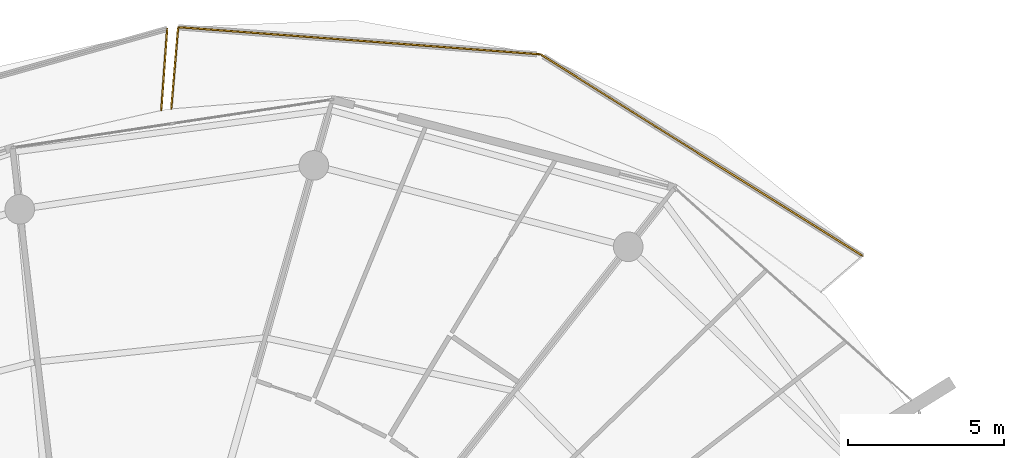
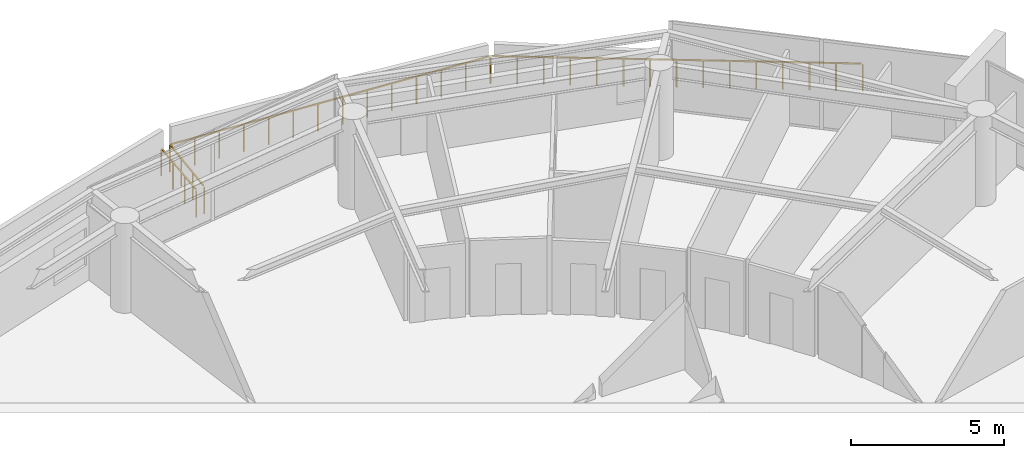
# One storey, part 29 of 29: 4 railings.
"""IFC4 building model written with IfcOpenShell, lengths in metres."""

from ifc_helpers import new_model, si_unit, direction, frame, origin, origin_2d, place, context, subcontext, project, spatial, rectangle, extrude, material, type_object, element, save


model = new_model("IFC4")

# Units and contexts
model_context = context("Model", 3, precision=1e-05, world=origin(), true_north=direction((0.0, 1.0)))
body_context = subcontext(model_context, "Body", "Model", "MODEL_VIEW")
ifc_project = project(units=[si_unit("LENGTHUNIT", "METRE"), si_unit("AREAUNIT", "SQUARE_METRE"), si_unit("VOLUMEUNIT", "CUBIC_METRE"), si_unit("PLANEANGLEUNIT", "RADIAN"), si_unit("MASSUNIT", "GRAM", prefix="KILO")], contexts=[model_context])

# Site, building, storey
site_placement = place(None, origin())
site = spatial("IfcSite", under=ifc_project, at=site_placement, CompositionType="ELEMENT")
building_placement = place(site_placement, origin())
building = spatial("IfcBuilding", under=site, at=building_placement, Name="Kazma Halo Residences", CompositionType="ELEMENT")
storey_placement = place(building_placement, frame((0.0, 0.0, 282.89990234375)))
storey = spatial("IfcBuildingStorey", under=building, at=storey_placement, Name="L71", CompositionType="ELEMENT", Elevation=282.89990234375)

# Railings
ifc_material = material(Name="Aluminium AW-6063 T6 Brushed Cap Rail", Category="aluminium")
railing_type = type_object("IfcRailingType", Name="RLG-BAL-CAP-1120", PredefinedType="BALUSTRADE", material=ifc_material)
railing_1_placement = place(storey_placement, frame((72.371337890625, 63.073974609375, 0.0)))
element("IfcRailing", 1, at=railing_1_placement, inside=storey, type_object=railing_type, Name="L71 NE wave balcony guard 2", PredefinedType="BALUSTRADE", context=body_context, shape_type="SweptSolid", body=[
    extrude(rectangle(XDim=0.050048828125, YDim=0.050048828125, at=origin_2d()), frame((-0.0361328125, 0.0224609375, 1.09521484375), z_axis=(-0.847746265353, 0.530401988664, 0.0), x_axis=(-0.530401988664, -0.847746265353, 0.0)), (0.0, 0.0, 1.0), 12.109375),
    extrude(rectangle(XDim=0.0400390625, YDim=0.0400390625, at=origin_2d()), origin(), (0.0, 0.0, 1.0), 1.05810546875),
    extrude(rectangle(XDim=0.0400390625, YDim=0.0400390625, at=origin_2d()), frame((-0.738525390625, 0.4619140625, 0.0)), (0.0, 0.0, 1.0), 1.05810546875),
    extrude(rectangle(XDim=0.0400390625, YDim=0.0400390625, at=origin_2d()), frame((-1.476806640625, 0.924072265625, 0.0)), (0.0, 0.0, 1.0), 1.05810546875),
    extrude(rectangle(XDim=0.0400390625, YDim=0.0400390625, at=origin_2d()), frame((-2.21533203125, 1.385986328125, 0.0)), (0.0, 0.0, 1.0), 1.05810546875),
    extrude(rectangle(XDim=0.0400390625, YDim=0.0400390625, at=origin_2d()), frame((-2.95361328125, 1.847900390625, 0.0)), (0.0, 0.0, 1.0), 1.05810546875),
    extrude(rectangle(XDim=0.0400390625, YDim=0.0400390625, at=origin_2d()), frame((-3.692138671875, 2.31005859375, 0.0)), (0.0, 0.0, 1.0), 1.05810546875),
    extrude(rectangle(XDim=0.0400390625, YDim=0.0400390625, at=origin_2d()), frame((-4.430419921875, 2.77197265625, 0.0)), (0.0, 0.0, 1.0), 1.05810546875),
    extrude(rectangle(XDim=0.0400390625, YDim=0.0400390625, at=origin_2d()), frame((-5.1689453125, 3.23388671875, 0.0)), (0.0, 0.0, 1.0), 1.05810546875),
    extrude(rectangle(XDim=0.0400390625, YDim=0.0400390625, at=origin_2d()), frame((-5.907470703125, 3.696044921875, 0.0)), (0.0, 0.0, 1.0), 1.05810546875),
    extrude(rectangle(XDim=0.0400390625, YDim=0.0400390625, at=origin_2d()), frame((-6.645751953125, 4.157958984375, 0.0)), (0.0, 0.0, 1.0), 1.05810546875),
    extrude(rectangle(XDim=0.0400390625, YDim=0.0400390625, at=origin_2d()), frame((-7.38427734375, 4.6201171875, 0.0)), (0.0, 0.0, 1.0), 1.05810546875),
    extrude(rectangle(XDim=0.0400390625, YDim=0.0400390625, at=origin_2d()), frame((-8.12255859375, 5.08203125, 0.0)), (0.0, 0.0, 1.0), 1.05810546875),
    extrude(rectangle(XDim=0.0400390625, YDim=0.0400390625, at=origin_2d()), frame((-8.861083984375, 5.5439453125, 0.0)), (0.0, 0.0, 1.0), 1.05810546875),
    extrude(rectangle(XDim=0.0400390625, YDim=0.0400390625, at=origin_2d()), frame((-9.599365234375, 6.006103515625, 0.0)), (0.0, 0.0, 1.0), 1.05810546875),
    extrude(rectangle(XDim=0.0400390625, YDim=0.0400390625, at=origin_2d()), frame((-10.337890625, 6.468017578125, 0.0)), (0.0, 0.0, 1.0), 1.05810546875),
])
railing_2_placement = place(storey_placement, frame((62.033447265625, 69.5419921875, 0.0)))
element("IfcRailing", 2, at=railing_2_placement, inside=storey, type_object=railing_type, Name="L71 NE wave balcony guard 3", PredefinedType="BALUSTRADE", context=body_context, shape_type="SweptSolid", body=[
    extrude(rectangle(XDim=0.050048828125, YDim=0.050048828125, at=origin_2d()), frame((-0.04248046875, 0.003173828125, 1.09521484375), z_axis=(-0.997192197281, 0.074884722625, 0.0), x_axis=(-0.074884722625, -0.997192197281, 0.0)), (0.0, 0.0, 1.0), 11.5703125),
    extrude(rectangle(XDim=0.0400390625, YDim=0.0400390625, at=origin_2d()), origin(), (0.0, 0.0, 1.0), 1.05810546875),
    extrude(rectangle(XDim=0.0400390625, YDim=0.0400390625, at=origin_2d()), frame((-0.89404296875, 0.067138671875, 0.0)), (0.0, 0.0, 1.0), 1.05810546875),
    extrude(rectangle(XDim=0.0400390625, YDim=0.0400390625, at=origin_2d()), frame((-1.7880859375, 0.13427734375, 0.0)), (0.0, 0.0, 1.0), 1.05810546875),
    extrude(rectangle(XDim=0.0400390625, YDim=0.0400390625, at=origin_2d()), frame((-2.68212890625, 0.201416015625, 0.0)), (0.0, 0.0, 1.0), 1.05810546875),
    extrude(rectangle(XDim=0.0400390625, YDim=0.0400390625, at=origin_2d()), frame((-3.576171875, 0.2685546875, 0.0)), (0.0, 0.0, 1.0), 1.05810546875),
    extrude(rectangle(XDim=0.0400390625, YDim=0.0400390625, at=origin_2d()), frame((-4.47021484375, 0.335693359375, 0.0)), (0.0, 0.0, 1.0), 1.05810546875),
    extrude(rectangle(XDim=0.0400390625, YDim=0.0400390625, at=origin_2d()), frame((-5.3642578125, 0.40283203125, 0.0)), (0.0, 0.0, 1.0), 1.05810546875),
    extrude(rectangle(XDim=0.0400390625, YDim=0.0400390625, at=origin_2d()), frame((-6.25830078125, 0.469970703125, 0.0)), (0.0, 0.0, 1.0), 1.05810546875),
    extrude(rectangle(XDim=0.0400390625, YDim=0.0400390625, at=origin_2d()), frame((-7.15234375, 0.537109375, 0.0)), (0.0, 0.0, 1.0), 1.05810546875),
    extrude(rectangle(XDim=0.0400390625, YDim=0.0400390625, at=origin_2d()), frame((-8.04638671875, 0.604248046875, 0.0)), (0.0, 0.0, 1.0), 1.05810546875),
    extrude(rectangle(XDim=0.0400390625, YDim=0.0400390625, at=origin_2d()), frame((-8.9404296875, 0.67138671875, 0.0)), (0.0, 0.0, 1.0), 1.05810546875),
    extrude(rectangle(XDim=0.0400390625, YDim=0.0400390625, at=origin_2d()), frame((-9.83447265625, 0.738525390625, 0.0)), (0.0, 0.0, 1.0), 1.05810546875),
    extrude(rectangle(XDim=0.0400390625, YDim=0.0400390625, at=origin_2d()), frame((-10.728515625, 0.8056640625, 0.0)), (0.0, 0.0, 1.0), 1.05810546875),
    extrude(rectangle(XDim=0.0400390625, YDim=0.0400390625, at=origin_2d()), frame((-11.62255859375, 0.872802734375, 0.0)), (0.0, 0.0, 1.0), 1.05810546875),
])
railing_3_placement = place(storey_placement, frame((50.410888671875, 70.414794921875, 0.0)))
element("IfcRailing", 3, at=railing_3_placement, inside=storey, type_object=railing_type, Name="L71 NE wave balcony guard 4", PredefinedType="BALUSTRADE", context=body_context, shape_type="SweptSolid", body=[
    extrude(rectangle(XDim=0.050048828125, YDim=0.050048828125, at=origin_2d()), frame((-0.003662109375, -0.04248046875, 1.09521484375), z_axis=(-0.084474319693, -0.996425656691, 0.0), x_axis=(0.996425656691, -0.084474319693, 0.0)), (0.0, 0.0, 1.0), 2.544921875),
    extrude(rectangle(XDim=0.0400390625, YDim=0.0400390625, at=origin_2d()), origin(), (0.0, 0.0, 1.0), 1.05810546875),
    extrude(rectangle(XDim=0.0400390625, YDim=0.0400390625, at=origin_2d()), frame((-0.073974609375, -0.87353515625, 0.0)), (0.0, 0.0, 1.0), 1.05810546875),
    extrude(rectangle(XDim=0.0400390625, YDim=0.0400390625, at=origin_2d()), frame((-0.148193359375, -1.7470703125, 0.0)), (0.0, 0.0, 1.0), 1.05810546875),
    extrude(rectangle(XDim=0.0400390625, YDim=0.0400390625, at=origin_2d()), frame((-0.22216796875, -2.62060546875, 0.0)), (0.0, 0.0, 1.0), 1.05810546875),
])
railing_4_placement = place(storey_placement, frame((49.8681640625, 67.74609375, 0.0)))
element("IfcRailing", 4, at=railing_4_placement, inside=storey, type_object=railing_type, Name="L71 NNW wave balcony guard 1", PredefinedType="BALUSTRADE", context=body_context, shape_type="SweptSolid", body=[
    extrude(rectangle(XDim=0.050048828125, YDim=0.050048828125, at=origin_2d()), frame((0.003173828125, 0.04248046875, 1.09521484375), z_axis=(0.072350681642, 0.997379255282, 0.0), x_axis=(-0.997379255282, 0.072350681642, 0.0)), (0.0, 0.0, 1.0), 2.540283203125),
    extrude(rectangle(XDim=0.0400390625, YDim=0.0400390625, at=origin_2d()), origin(), (0.0, 0.0, 1.0), 1.05810546875),
    extrude(rectangle(XDim=0.0400390625, YDim=0.0400390625, at=origin_2d()), frame((0.063232421875, 0.872802734375, 0.0)), (0.0, 0.0, 1.0), 1.05810546875),
    extrude(rectangle(XDim=0.0400390625, YDim=0.0400390625, at=origin_2d()), frame((0.126708984375, 1.74560546875, 0.0)), (0.0, 0.0, 1.0), 1.05810546875),
    extrude(rectangle(XDim=0.0400390625, YDim=0.0400390625, at=origin_2d()), frame((0.18994140625, 2.618408203125, 0.0)), (0.0, 0.0, 1.0), 1.05810546875),
])

save(model, "model.ifc")
